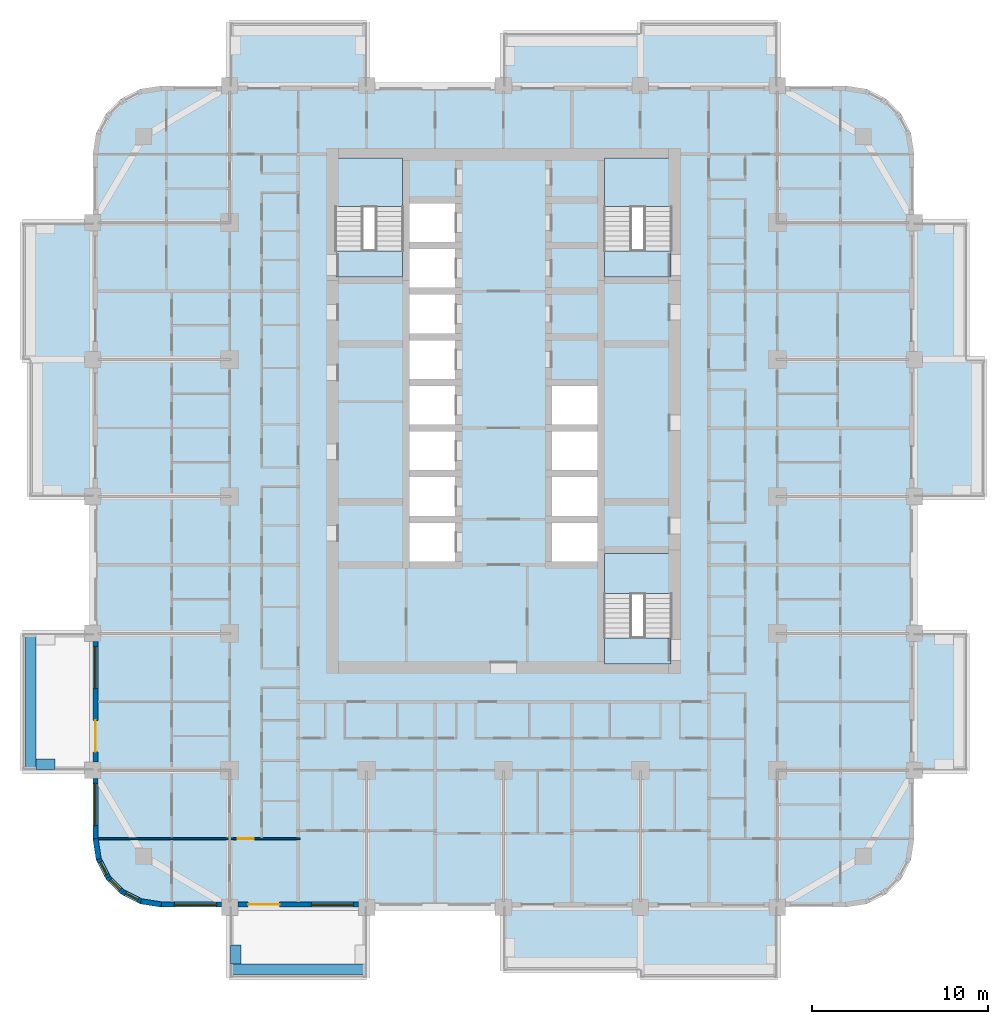
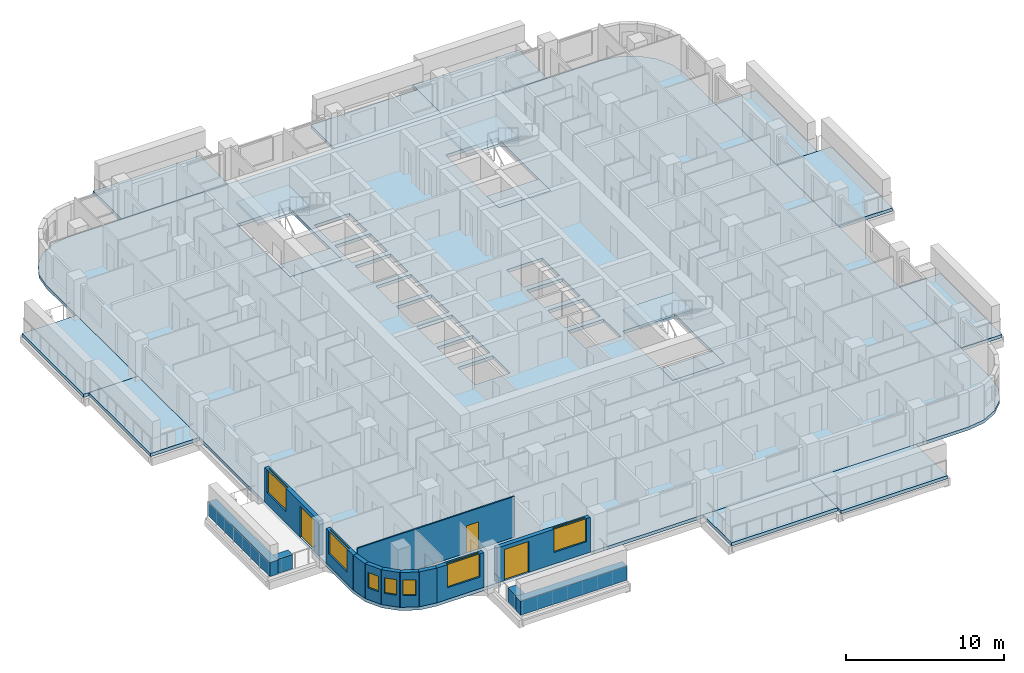
# One storey, part 2 of 18: 17 slabs, 14 walls, 7 windows, 3 doors, 10 openings, 3 elements without a shape of their own.
"""IFC4 building model written with IfcOpenShell, lengths in metres."""

from ifc_helpers import new_model, si_unit, direction, frame, frame_2d, origin, place, context, subcontext, project, spatial, polyline, rectangle, outline, extrude, material, layer, layer_set, type_object, element, fill, aggregate, save


model = new_model("IFC4")

# Units and contexts
model_context = context("Model", 3, precision=1e-05, world=origin(), true_north=direction((0.0, 1.0)))
body_context = subcontext(model_context, "Body", "Model", "MODEL_VIEW")
ifc_project = project(units=[si_unit("LENGTHUNIT", "METRE"), si_unit("AREAUNIT", "SQUARE_METRE"), si_unit("VOLUMEUNIT", "CUBIC_METRE"), si_unit("PLANEANGLEUNIT", "RADIAN"), si_unit("MASSUNIT", "GRAM", prefix="KILO")], contexts=[model_context])

# Site, building, storey
site_placement = place(None, origin())
site = spatial("IfcSite", under=ifc_project, at=site_placement, CompositionType="ELEMENT")
building_placement = place(site_placement, origin())
building = spatial("IfcBuilding", under=site, at=building_placement, Name="Ludao Terraces", CompositionType="ELEMENT")
storey_placement = place(building_placement, frame((0.0, 0.0, 75.0)))
storey = spatial("IfcBuildingStorey", under=building, at=storey_placement, Name="L20", CompositionType="ELEMENT", Elevation=75.0)

# Slabs
ifc_material_1 = material(Name="Concrete C40", Category="concrete")
ifc_layer_1 = layer(ifc_material_1, 0.25)
ifc_layer_set_1 = layer_set([ifc_layer_1], Name="Balcony slab 250 C40")
slab_type_1 = type_object("IfcSlabType", Name="Balcony slab 250 C40", PredefinedType="USERDEFINED", material=ifc_layer_set_1)
slab_1_placement = place(storey_placement, frame((0.0, 0.0, -0.25)))
element("IfcSlab", 1, at=slab_1_placement, inside=storey, type_object=slab_type_1, Name="Balcony L20 S3", ObjectType="BALCONY", PredefinedType="USERDEFINED", context=body_context, shape_type="SweptSolid", body=[
    extrude(outline(polyline([(85.0, 38.0), (92.800048828125, 38.0), (92.800048828125, 41.60009765625), (85.0, 41.60009765625), (85.0, 38.0)])), origin(), (0.0, 0.0, 1.0), 0.25),
])
slab_2_placement = place(storey_placement, frame((0.0, 0.0, -0.25)))
element("IfcSlab", 2, at=slab_2_placement, inside=storey, type_object=slab_type_1, Name="Balcony L20 S4", ObjectType="BALCONY", PredefinedType="USERDEFINED", context=body_context, shape_type="SweptSolid", body=[
    extrude(outline(polyline([(92.800048828125, 37.60009765625), (100.60009765625, 37.60009765625), (100.60009765625, 41.60009765625), (92.800048828125, 41.60009765625), (92.800048828125, 37.60009765625)])), origin(), (0.0, 0.0, 1.0), 0.25),
])
slab_3_placement = place(storey_placement, frame((0.0, 0.0, -0.25)))
element("IfcSlab", 3, at=slab_3_placement, inside=storey, type_object=slab_type_1, Name="Balcony L20 E1", ObjectType="BALCONY", PredefinedType="USERDEFINED", context=body_context, shape_type="SweptSolid", body=[
    extrude(outline(polyline([(108.39990234375, 49.39990234375), (111.39990234375, 49.39990234375), (111.39990234375, 57.199951171875), (108.39990234375, 57.199951171875), (108.39990234375, 49.39990234375)])), origin(), (0.0, 0.0, 1.0), 0.25),
])
slab_4_placement = place(storey_placement, frame((0.0, 0.0, -0.25)))
element("IfcSlab", 4, at=slab_4_placement, inside=storey, type_object=slab_type_1, Name="Balcony L20 E3", ObjectType="BALCONY", PredefinedType="USERDEFINED", context=body_context, shape_type="SweptSolid", body=[
    extrude(outline(polyline([(108.39990234375, 65.0), (112.39990234375, 65.0), (112.39990234375, 72.800048828125), (108.39990234375, 72.800048828125), (108.39990234375, 65.0)])), origin(), (0.0, 0.0, 1.0), 0.25),
])
slab_5_placement = place(storey_placement, frame((0.0, 0.0, -0.25)))
element("IfcSlab", 5, at=slab_5_placement, inside=storey, type_object=slab_type_1, Name="Balcony L20 E4", ObjectType="BALCONY", PredefinedType="USERDEFINED", context=body_context, shape_type="SweptSolid", body=[
    extrude(outline(polyline([(108.39990234375, 72.800048828125), (111.39990234375, 72.800048828125), (111.39990234375, 80.60009765625), (108.39990234375, 80.60009765625), (108.39990234375, 72.800048828125)])), origin(), (0.0, 0.0, 1.0), 0.25),
])
slab_6_placement = place(storey_placement, frame((0.0, 0.0, -0.25)))
element("IfcSlab", 6, at=slab_6_placement, inside=storey, type_object=slab_type_1, Name="Balcony L20 N1", ObjectType="BALCONY", PredefinedType="USERDEFINED", context=body_context, shape_type="SweptSolid", body=[
    extrude(outline(polyline([(69.39990234375, 88.39990234375), (77.199951171875, 88.39990234375), (77.199951171875, 92.0), (69.39990234375, 92.0), (69.39990234375, 88.39990234375)])), origin(), (0.0, 0.0, 1.0), 0.25),
])
slab_7_placement = place(storey_placement, frame((0.0, 0.0, -0.25)))
element("IfcSlab", 7, at=slab_7_placement, inside=storey, type_object=slab_type_1, Name="Balcony L20 N3", ObjectType="BALCONY", PredefinedType="USERDEFINED", context=body_context, shape_type="SweptSolid", body=[
    extrude(outline(polyline([(85.0, 88.39990234375), (92.800048828125, 88.39990234375), (92.800048828125, 91.39990234375), (85.0, 91.39990234375), (85.0, 88.39990234375)])), origin(), (0.0, 0.0, 1.0), 0.25),
])
slab_8_placement = place(storey_placement, frame((0.0, 0.0, -0.25)))
element("IfcSlab", 8, at=slab_8_placement, inside=storey, type_object=slab_type_1, Name="Balcony L20 N4", ObjectType="BALCONY", PredefinedType="USERDEFINED", context=body_context, shape_type="SweptSolid", body=[
    extrude(outline(polyline([(92.800048828125, 88.39990234375), (100.60009765625, 88.39990234375), (100.60009765625, 92.0), (92.800048828125, 92.0), (92.800048828125, 88.39990234375)])), origin(), (0.0, 0.0, 1.0), 0.25),
])
slab_9_placement = place(storey_placement, frame((0.0, 0.0, -0.25)))
element("IfcSlab", 9, at=slab_9_placement, inside=storey, type_object=slab_type_1, Name="Balcony L20 W3", ObjectType="BALCONY", PredefinedType="USERDEFINED", context=body_context, shape_type="SweptSolid", body=[
    extrude(outline(polyline([(58.0, 65.0), (61.60009765625, 65.0), (61.60009765625, 72.800048828125), (58.0, 72.800048828125), (58.0, 65.0)])), origin(), (0.0, 0.0, 1.0), 0.25),
])
slab_10_placement = place(storey_placement, frame((0.0, 0.0, -0.25)))
element("IfcSlab", 10, at=slab_10_placement, inside=storey, type_object=slab_type_1, Name="Balcony L20 W4", ObjectType="BALCONY", PredefinedType="USERDEFINED", context=body_context, shape_type="SweptSolid", body=[
    extrude(outline(polyline([(57.60009765625, 72.800048828125), (61.60009765625, 72.800048828125), (61.60009765625, 80.60009765625), (57.60009765625, 80.60009765625), (57.60009765625, 72.800048828125)])), origin(), (0.0, 0.0, 1.0), 0.25),
])
ifc_layer_2 = layer(ifc_material_1, 0.25)
ifc_layer_set_2 = layer_set([ifc_layer_2], Name="Floor slab 250 C40")
slab_type_2 = type_object("IfcSlabType", Name="Floor slab 250 C40", PredefinedType="FLOOR", material=ifc_layer_set_2)
slab_11_placement = place(storey_placement, frame((0.0, 0.0, -0.25)))
element("IfcSlab", 11, at=slab_11_placement, inside=storey, type_object=slab_type_2, Name="Slab L20", PredefinedType="FLOOR", context=body_context, shape_type="SweptSolid", body=[
    extrude(outline(polyline([(104.5, 41.60009765625), (105.705078125, 41.790771484375), (106.79248046875, 42.3447265625), (107.6552734375, 43.20751953125), (108.209228515625, 44.294921875), (108.39990234375, 45.5), (108.39990234375, 84.5), (108.209228515625, 85.705078125), (107.6552734375, 86.79248046875), (106.79248046875, 87.6552734375), (105.705078125, 88.209228515625), (104.5, 88.39990234375), (65.5, 88.39990234375), (64.294921875, 88.209228515625), (63.20751953125, 87.6552734375), (62.3447265625, 86.79248046875), (61.790771484375, 85.705078125), (61.60009765625, 84.5), (61.60009765625, 45.5), (61.790771484375, 44.294921875), (62.3447265625, 43.20751953125), (63.20751953125, 42.3447265625), (64.294921875, 41.790771484375), (65.5, 41.60009765625), (104.5, 41.60009765625)]), holes=[polyline([(79.64990234375, 61.300048828125), (82.25, 61.300048828125), (82.25, 63.5), (79.64990234375, 63.5), (79.64990234375, 61.300048828125)]), polyline([(79.64990234375, 63.89990234375), (82.25, 63.89990234375), (82.25, 66.10009765625), (79.64990234375, 66.10009765625), (79.64990234375, 63.89990234375)]), polyline([(79.64990234375, 66.5), (82.25, 66.5), (82.25, 68.699951171875), (79.64990234375, 68.699951171875), (79.64990234375, 66.5)]), polyline([(79.64990234375, 69.10009765625), (82.25, 69.10009765625), (82.25, 71.300048828125), (79.64990234375, 71.300048828125), (79.64990234375, 69.10009765625)]), polyline([(79.64990234375, 71.699951171875), (82.25, 71.699951171875), (82.25, 73.89990234375), (79.64990234375, 73.89990234375), (79.64990234375, 71.699951171875)]), polyline([(79.64990234375, 74.300048828125), (82.25, 74.300048828125), (82.25, 76.5), (79.64990234375, 76.5), (79.64990234375, 74.300048828125)]), polyline([(79.64990234375, 76.89990234375), (82.25, 76.89990234375), (82.25, 79.10009765625), (79.64990234375, 79.10009765625), (79.64990234375, 76.89990234375)]), polyline([(79.64990234375, 79.5), (82.25, 79.5), (82.25, 81.699951171875), (79.64990234375, 81.699951171875), (79.64990234375, 79.5)]), polyline([(87.75, 61.300048828125), (90.35009765625, 61.300048828125), (90.35009765625, 63.5), (87.75, 63.5), (87.75, 61.300048828125)]), polyline([(87.75, 63.89990234375), (90.35009765625, 63.89990234375), (90.35009765625, 66.10009765625), (87.75, 66.10009765625), (87.75, 63.89990234375)]), polyline([(87.75, 66.5), (90.35009765625, 66.5), (90.35009765625, 68.699951171875), (87.75, 68.699951171875), (87.75, 66.5)]), polyline([(87.75, 69.10009765625), (90.35009765625, 69.10009765625), (90.35009765625, 71.300048828125), (87.75, 71.300048828125), (87.75, 69.10009765625)]), polyline([(75.449951171875, 77.5), (79.25, 77.5), (79.25, 84.239990234375), (75.449951171875, 84.239990234375), (75.449951171875, 77.5)]), polyline([(90.75, 77.5), (94.550048828125, 77.5), (94.550048828125, 84.239990234375), (90.75, 84.239990234375), (90.75, 77.5)]), polyline([(90.75, 55.449951171875), (94.550048828125, 55.449951171875), (94.550048828125, 61.75), (90.75, 61.75), (90.75, 55.449951171875)])]), origin(), (0.0, 0.0, 1.0), 0.25),
])

# Stair, slabs
stair_type = type_object("IfcStairType", Name="INT Stair", PredefinedType="HALF_TURN_STAIR", material=ifc_material_1)
stair_1_placement = place(storey_placement, origin())
stair_1 = element("IfcStair", 12, at=stair_1_placement, inside=storey, type_object=stair_type, Name="EXIT STAIR 1", PredefinedType="HALF_TURN_STAIR")
ifc_layer_3 = layer(ifc_material_1, 0.199951171875)
ifc_layer_set_3 = layer_set([ifc_layer_3], Name="INT Stair landing 200")
slab_type_3 = type_object("IfcSlabType", Name="INT Stair landing 200", PredefinedType="LANDING", material=ifc_layer_set_3)
slab_12_placement = place(storey_placement, frame((0.0, 0.0, 1.5)))
slab_12 = element("IfcSlab", 13, at=slab_12_placement, type_object=slab_type_3, Name="ST1 landing 1", PredefinedType="LANDING", context=body_context, shape_type="SweptSolid", body=[
    extrude(outline(polyline([(75.449951171875, 81.52001953125), (79.25, 81.52001953125), (79.25, 84.300048828125), (75.449951171875, 84.300048828125), (75.449951171875, 81.52001953125)])), origin(), (0.0, 0.0, 1.0), 0.199951171875),
])
slab_13_placement = place(storey_placement, frame((0.0, 0.0, -0.199951171875)))
slab_13 = element("IfcSlab", 14, at=slab_13_placement, type_object=slab_type_3, Name="ST1 landing 2", PredefinedType="LANDING", context=body_context, shape_type="SweptSolid", body=[
    extrude(outline(polyline([(75.449951171875, 77.5), (79.25, 77.5), (79.25, 79.0), (75.449951171875, 79.0), (75.449951171875, 77.5)])), origin(), (0.0, 0.0, 1.0), 0.199951171875),
])
aggregate(stair_1, [slab_12, slab_13])

stair_2_placement = place(storey_placement, origin())
stair_2 = element("IfcStair", 15, at=stair_2_placement, inside=storey, type_object=stair_type, Name="EXIT STAIR 2", PredefinedType="HALF_TURN_STAIR")
slab_14_placement = place(storey_placement, frame((0.0, 0.0, 1.5)))
slab_14 = element("IfcSlab", 16, at=slab_14_placement, type_object=slab_type_3, Name="ST2 landing 1", PredefinedType="LANDING", context=body_context, shape_type="SweptSolid", body=[
    extrude(outline(polyline([(90.75, 81.52001953125), (94.550048828125, 81.52001953125), (94.550048828125, 84.300048828125), (90.75, 84.300048828125), (90.75, 81.52001953125)])), origin(), (0.0, 0.0, 1.0), 0.199951171875),
])
slab_15_placement = place(storey_placement, frame((0.0, 0.0, -0.199951171875)))
slab_15 = element("IfcSlab", 17, at=slab_15_placement, type_object=slab_type_3, Name="ST2 landing 2", PredefinedType="LANDING", context=body_context, shape_type="SweptSolid", body=[
    extrude(outline(polyline([(90.75, 77.5), (94.550048828125, 77.5), (94.550048828125, 79.0), (90.75, 79.0), (90.75, 77.5)])), origin(), (0.0, 0.0, 1.0), 0.199951171875),
])
aggregate(stair_2, [slab_14, slab_15])

stair_3_placement = place(storey_placement, origin())
stair_3 = element("IfcStair", 18, at=stair_3_placement, inside=storey, type_object=stair_type, Name="EXIT STAIR 3", PredefinedType="HALF_TURN_STAIR")
slab_16_placement = place(storey_placement, frame((0.0, 0.0, 1.5)))
slab_16 = element("IfcSlab", 19, at=slab_16_placement, type_object=slab_type_3, Name="ST3 landing 1", PredefinedType="LANDING", context=body_context, shape_type="SweptSolid", body=[
    extrude(outline(polyline([(90.75, 59.469970703125), (94.550048828125, 59.469970703125), (94.550048828125, 61.75), (90.75, 61.75), (90.75, 59.469970703125)])), origin(), (0.0, 0.0, 1.0), 0.199951171875),
])
slab_17_placement = place(storey_placement, frame((0.0, 0.0, -0.199951171875)))
slab_17 = element("IfcSlab", 20, at=slab_17_placement, type_object=slab_type_3, Name="ST3 landing 2", PredefinedType="LANDING", context=body_context, shape_type="SweptSolid", body=[
    extrude(outline(polyline([(90.75, 55.449951171875), (94.550048828125, 55.449951171875), (94.550048828125, 56.949951171875), (90.75, 56.949951171875), (90.75, 55.449951171875)])), origin(), (0.0, 0.0, 1.0), 0.199951171875),
])
aggregate(stair_3, [slab_16, slab_17])

# Walls
ifc_layer_4 = layer(ifc_material_1, 0.60009765625)
ifc_layer_set_4 = layer_set([ifc_layer_4], Name="ENV Planter trough 600")
wall_type_1 = type_object("IfcWallType", Name="ENV Planter trough 600", PredefinedType="USERDEFINED", material=ifc_layer_set_4)
wall_1_placement = place(storey_placement, frame((69.39990234375, 38.050048828125, 0.0), z_axis=(0.0, 0.0, 1.0), x_axis=(1.0, 0.0, 0.0)))
element("IfcWall", 21, at=wall_1_placement, inside=storey, type_object=wall_type_1, Name="PL-L20-S1", ObjectType="PLANTER", PredefinedType="USERDEFINED", context=body_context, shape_type="SweptSolid", body=[
    extrude(rectangle(XDim=7.800048828125, YDim=0.60009765625, at=frame_2d((3.89990234375, 0.0))), origin(), (0.0, 0.0, 1.0), 1.10009765625),
])
wall_2_placement = place(storey_placement, frame((69.75, 38.35009765625, 0.0), z_axis=(0.0, 0.0, 1.0), x_axis=(0.0, 1.0, 0.0)))
element("IfcWall", 22, at=wall_2_placement, inside=storey, type_object=wall_type_1, Name="PL-L20-S1-SA", ObjectType="PLANTER", PredefinedType="USERDEFINED", context=body_context, shape_type="SweptSolid", body=[
    extrude(rectangle(XDim=1.099853515625, YDim=0.60009765625, at=frame_2d((0.5498046875, 0.0))), origin(), (0.0, 0.0, 1.0), 1.10009765625),
])
wall_3_placement = place(storey_placement, frame((58.050048828125, 49.39990234375, 0.0), z_axis=(0.0, 0.0, 1.0), x_axis=(0.0, 1.0, 0.0)))
element("IfcWall", 23, at=wall_3_placement, inside=storey, type_object=wall_type_1, Name="PL-L20-W1", ObjectType="PLANTER", PredefinedType="USERDEFINED", context=body_context, shape_type="SweptSolid", body=[
    extrude(rectangle(XDim=7.800048828125, YDim=0.60009765625, at=frame_2d((3.89990234375, 0.0))), origin(), (0.0, 0.0, 1.0), 1.10009765625),
])
wall_4_placement = place(storey_placement, frame((58.35009765625, 49.75, 0.0), z_axis=(0.0, 0.0, 1.0), x_axis=(1.0, 0.0, 0.0)))
element("IfcWall", 24, at=wall_4_placement, inside=storey, type_object=wall_type_1, Name="PL-L20-W1-SA", ObjectType="PLANTER", PredefinedType="USERDEFINED", context=body_context, shape_type="SweptSolid", body=[
    extrude(rectangle(XDim=1.099853515625, YDim=0.60009765625, at=frame_2d((0.5498046875, 0.0))), origin(), (0.0, 0.0, 1.0), 1.10009765625),
])

# Wall, opening, window
ifc_material_2 = material(Name="Granite cladding", Category="masonry")
ifc_layer_5 = layer(ifc_material_2, 0.0400390625, Category="stone")
ifc_material_3 = material(Name="Mineral wool")
ifc_layer_6 = layer(ifc_material_3, 0.06005859375)
ifc_layer_7 = layer(ifc_material_1, 0.199951171875, Category="concrete")
ifc_layer_set_5 = layer_set([ifc_layer_5, ifc_layer_6, ifc_layer_7], Name="ENV Stone-clad wall 300")
wall_type_2 = type_object("IfcWallType", Name="ENV Stone-clad wall 300", PredefinedType="SOLIDWALL", material=ifc_layer_set_5)
wall_5_placement = place(storey_placement, frame((65.5, 41.75, 0.0), z_axis=(0.0, 0.0, 1.0), x_axis=(1.0, 0.0, 0.0)))
wall_5 = element("IfcWall", 25, at=wall_5_placement, inside=storey, type_object=wall_type_2, Name="EW-L20-S1", PredefinedType="SOLIDWALL", context=body_context, shape_type="SweptSolid", body=[
    extrude(rectangle(XDim=3.425048828125, YDim=0.300048828125, at=frame_2d((1.71240234375, 0.0))), origin(), (0.0, 0.0, 1.0), 2.699951171875),
])
opening_1_placement = place(wall_5_placement, frame((0.75, 0.0, 0.89990234375)))
opening_1 = element("IfcOpeningElement", 26, at=opening_1_placement, cuts=wall_5, Name="Opening W1", PredefinedType="OPENING", context=body_context, shape_type="SweptSolid", body=[
    extrude(rectangle(XDim=2.39990234375, YDim=1.800048828125, at=frame_2d((1.199951171875, 0.89990234375))), frame((0.0, 0.16015625, 0.0), z_axis=(0.0, -1.0, 0.0), x_axis=(1.0, 0.0, 0.0)), (0.0, 0.0, 1.0), 0.320068359375),
])
ifc_material_4 = material(Name="Clear glass in aluminium frame", Category="aluminium")
ifc_layer_8 = layer(ifc_material_4, 0.06005859375)
ifc_layer_set_6 = layer_set([ifc_layer_8], Name="ENV Window W1 2400x1800")
window_type_1 = type_object("IfcWindowType", Name="ENV Window W1 2400x1800", PartitioningType="DOUBLE_PANEL_VERTICAL", PredefinedType="WINDOW", material=ifc_layer_set_6)
window_1_placement = place(opening_1_placement, origin())
window_1 = element("IfcWindow", 27, at=window_1_placement, inside=storey, type_object=window_type_1, Name="W-L20-S1-1", OverallHeight=1.800048828125, OverallWidth=2.39990234375, PartitioningType="DOUBLE_PANEL_VERTICAL", PredefinedType="WINDOW", context=body_context, shape_type="SweptSolid", body=[
    extrude(rectangle(XDim=2.39990234375, YDim=1.800048828125, at=frame_2d((1.199951171875, 0.89990234375))), frame((0.0, 0.030029296875, 0.0), z_axis=(0.0, -1.0, 0.0), x_axis=(1.0, 0.0, 0.0)), (0.0, 0.0, 1.0), 0.06005859375),
])
fill(opening_1, window_1)

# Wall, openings, door, window
wall_6_placement = place(storey_placement, frame((69.875, 41.75, 0.0), z_axis=(0.0, 0.0, 1.0), x_axis=(1.0, 0.0, 0.0)))
wall_6 = element("IfcWall", 28, at=wall_6_placement, inside=storey, type_object=wall_type_2, Name="EW-L20-S2", PredefinedType="SOLIDWALL", context=body_context, shape_type="SweptSolid", body=[
    extrude(rectangle(XDim=6.85009765625, YDim=0.300048828125, at=frame_2d((3.425048828125, 0.0))), origin(), (0.0, 0.0, 1.0), 2.699951171875),
])
opening_2_placement = place(wall_6_placement, frame((0.574951171875, 0.0, 0.0)))
opening_2 = element("IfcOpeningElement", 29, at=opening_2_placement, cuts=wall_6, Name="Opening BD", PredefinedType="OPENING", context=body_context, shape_type="SweptSolid", body=[
    extrude(rectangle(XDim=1.800048828125, YDim=2.39990234375, at=frame_2d((0.89990234375, 1.199951171875))), frame((0.0, 0.16015625, 0.0), z_axis=(0.0, -1.0, 0.0), x_axis=(1.0, 0.0, 0.0)), (0.0, 0.0, 1.0), 0.320068359375),
])
opening_3_placement = place(wall_6_placement, frame((4.175048828125, 0.0, 0.89990234375)))
opening_3 = element("IfcOpeningElement", 30, at=opening_3_placement, cuts=wall_6, Name="Opening W1", PredefinedType="OPENING", context=body_context, shape_type="SweptSolid", body=[
    extrude(rectangle(XDim=2.39990234375, YDim=1.800048828125, at=frame_2d((1.199951171875, 0.89990234375))), frame((0.0, 0.16015625, 0.0), z_axis=(0.0, -1.0, 0.0), x_axis=(1.0, 0.0, 0.0)), (0.0, 0.0, 1.0), 0.320068359375),
])
ifc_material_5 = material(Name="Aluminium glazed door", Category="aluminium")
ifc_layer_9 = layer(ifc_material_5, 0.06005859375)
ifc_layer_set_7 = layer_set([ifc_layer_9], Name="ENV Balcony door BD 1800x2400")
door_type_1 = type_object("IfcDoorType", Name="ENV Balcony door BD 1800x2400", OperationType="DOUBLE_DOOR_SINGLE_SWING", PredefinedType="DOOR", material=ifc_layer_set_7)
door_1_placement = place(opening_2_placement, origin())
door_1 = element("IfcDoor", 31, at=door_1_placement, inside=storey, type_object=door_type_1, Name="BD-L20-S2-1", OperationType="DOUBLE_DOOR_SINGLE_SWING", OverallHeight=2.39990234375, OverallWidth=1.800048828125, PredefinedType="DOOR", context=body_context, shape_type="SweptSolid", body=[
    extrude(rectangle(XDim=1.800048828125, YDim=2.39990234375, at=frame_2d((0.89990234375, 1.199951171875))), frame((0.0, 0.02490234375, 0.0), z_axis=(0.0, -1.0, 0.0), x_axis=(1.0, 0.0, 0.0)), (0.0, 0.0, 1.0), 0.050048828125),
])
fill(opening_2, door_1)
window_2_placement = place(opening_3_placement, origin())
window_2 = element("IfcWindow", 32, at=window_2_placement, inside=storey, type_object=window_type_1, Name="W-L20-S2-2", OverallHeight=1.800048828125, OverallWidth=2.39990234375, PartitioningType="DOUBLE_PANEL_VERTICAL", PredefinedType="WINDOW", context=body_context, shape_type="SweptSolid", body=[
    extrude(rectangle(XDim=2.39990234375, YDim=1.800048828125, at=frame_2d((1.199951171875, 0.89990234375))), frame((0.0, 0.030029296875, 0.0), z_axis=(0.0, -1.0, 0.0), x_axis=(1.0, 0.0, 0.0)), (0.0, 0.0, 1.0), 0.06005859375),
])
fill(opening_3, window_2)

# Wall, opening, window
wall_7_placement = place(storey_placement, frame((61.75, 45.5, 0.0), z_axis=(0.0, 0.0, 1.0), x_axis=(0.0, 1.0, 0.0)))
wall_7 = element("IfcWall", 33, at=wall_7_placement, inside=storey, type_object=wall_type_2, Name="EW-L20-W1", PredefinedType="SOLIDWALL", context=body_context, shape_type="SweptSolid", body=[
    extrude(rectangle(XDim=3.425048828125, YDim=0.300048828125, at=frame_2d((1.71240234375, 0.0))), origin(), (0.0, 0.0, 1.0), 2.699951171875),
])
opening_4_placement = place(wall_7_placement, frame((0.75, 0.0, 0.89990234375)))
opening_4 = element("IfcOpeningElement", 34, at=opening_4_placement, cuts=wall_7, Name="Opening W1", PredefinedType="OPENING", context=body_context, shape_type="SweptSolid", body=[
    extrude(rectangle(XDim=2.39990234375, YDim=1.800048828125, at=frame_2d((1.199951171875, 0.89990234375))), frame((0.0, 0.16015625, 0.0), z_axis=(0.0, -1.0, 0.0), x_axis=(1.0, 0.0, 0.0)), (0.0, 0.0, 1.0), 0.320068359375),
])
window_3_placement = place(opening_4_placement, origin())
window_3 = element("IfcWindow", 35, at=window_3_placement, inside=storey, type_object=window_type_1, Name="W-L20-W1-1", OverallHeight=1.800048828125, OverallWidth=2.39990234375, PartitioningType="DOUBLE_PANEL_VERTICAL", PredefinedType="WINDOW", context=body_context, shape_type="SweptSolid", body=[
    extrude(rectangle(XDim=2.39990234375, YDim=1.800048828125, at=frame_2d((1.199951171875, 0.89990234375))), frame((0.0, 0.030029296875, 0.0), z_axis=(0.0, -1.0, 0.0), x_axis=(1.0, 0.0, 0.0)), (0.0, 0.0, 1.0), 0.06005859375),
])
fill(opening_4, window_3)

# Wall, openings, door, window
wall_8_placement = place(storey_placement, frame((61.75, 49.875, 0.0), z_axis=(0.0, 0.0, 1.0), x_axis=(0.0, 1.0, 0.0)))
wall_8 = element("IfcWall", 36, at=wall_8_placement, inside=storey, type_object=wall_type_2, Name="EW-L20-W2", PredefinedType="SOLIDWALL", context=body_context, shape_type="SweptSolid", body=[
    extrude(rectangle(XDim=6.85009765625, YDim=0.300048828125, at=frame_2d((3.425048828125, 0.0))), origin(), (0.0, 0.0, 1.0), 2.699951171875),
])
opening_5_placement = place(wall_8_placement, frame((0.574951171875, 0.0, 0.0)))
opening_5 = element("IfcOpeningElement", 37, at=opening_5_placement, cuts=wall_8, Name="Opening BD", PredefinedType="OPENING", context=body_context, shape_type="SweptSolid", body=[
    extrude(rectangle(XDim=1.800048828125, YDim=2.39990234375, at=frame_2d((0.89990234375, 1.199951171875))), frame((0.0, 0.16015625, 0.0), z_axis=(0.0, -1.0, 0.0), x_axis=(1.0, 0.0, 0.0)), (0.0, 0.0, 1.0), 0.320068359375),
])
opening_6_placement = place(wall_8_placement, frame((4.175048828125, 0.0, 0.89990234375)))
opening_6 = element("IfcOpeningElement", 38, at=opening_6_placement, cuts=wall_8, Name="Opening W1", PredefinedType="OPENING", context=body_context, shape_type="SweptSolid", body=[
    extrude(rectangle(XDim=2.39990234375, YDim=1.800048828125, at=frame_2d((1.199951171875, 0.89990234375))), frame((0.0, 0.16015625, 0.0), z_axis=(0.0, -1.0, 0.0), x_axis=(1.0, 0.0, 0.0)), (0.0, 0.0, 1.0), 0.320068359375),
])
door_2_placement = place(opening_5_placement, origin())
door_2 = element("IfcDoor", 39, at=door_2_placement, inside=storey, type_object=door_type_1, Name="BD-L20-W2-1", OperationType="DOUBLE_DOOR_SINGLE_SWING", OverallHeight=2.39990234375, OverallWidth=1.800048828125, PredefinedType="DOOR", context=body_context, shape_type="SweptSolid", body=[
    extrude(rectangle(XDim=1.800048828125, YDim=2.39990234375, at=frame_2d((0.89990234375, 1.199951171875))), frame((0.0, 0.02490234375, 0.0), z_axis=(0.0, -1.0, 0.0), x_axis=(1.0, 0.0, 0.0)), (0.0, 0.0, 1.0), 0.050048828125),
])
fill(opening_5, door_2)
window_4_placement = place(opening_6_placement, origin())
window_4 = element("IfcWindow", 40, at=window_4_placement, inside=storey, type_object=window_type_1, Name="W-L20-W2-2", OverallHeight=1.800048828125, OverallWidth=2.39990234375, PartitioningType="DOUBLE_PANEL_VERTICAL", PredefinedType="WINDOW", context=body_context, shape_type="SweptSolid", body=[
    extrude(rectangle(XDim=2.39990234375, YDim=1.800048828125, at=frame_2d((1.199951171875, 0.89990234375))), frame((0.0, 0.030029296875, 0.0), z_axis=(0.0, -1.0, 0.0), x_axis=(1.0, 0.0, 0.0)), (0.0, 0.0, 1.0), 0.06005859375),
])
fill(opening_6, window_4)

# Wall
wall_9_placement = place(storey_placement, frame((61.75, 45.5, 0.0), z_axis=(0.0, 0.0, 1.0), x_axis=(0.156496880861, -0.987678452879, 0.0)))
element("IfcWall", 41, at=wall_9_placement, inside=storey, type_object=wall_type_2, Name="EW-L20-SW1", PredefinedType="SOLIDWALL", context=body_context, shape_type="SweptSolid", body=[
    extrude(rectangle(XDim=1.173095703125, YDim=0.300048828125, at=frame_2d((0.58642578125, 0.0))), origin(), (0.0, 0.0, 1.0), 2.699951171875),
])

# Wall, opening, window
wall_10_placement = place(storey_placement, frame((61.93359375, 44.34130859375, 0.0), z_axis=(0.0, 0.0, 1.0), x_axis=(0.454025524128, -0.890988677504, 0.0)))
wall_10 = element("IfcWall", 42, at=wall_10_placement, inside=storey, type_object=wall_type_2, Name="EW-L20-SW2", PredefinedType="SOLIDWALL", context=body_context, shape_type="SweptSolid", body=[
    extrude(rectangle(XDim=1.17333984375, YDim=0.300048828125, at=frame_2d((0.586669921875, 0.0))), origin(), (0.0, 0.0, 1.0), 2.699951171875),
])
opening_7_placement = place(wall_10_placement, frame((0.1865234375, 0.0, 0.89990234375)))
opening_7 = element("IfcOpeningElement", 43, at=opening_7_placement, cuts=wall_10, Name="Opening W3", PredefinedType="OPENING", context=body_context, shape_type="SweptSolid", body=[
    extrude(rectangle(XDim=0.800048828125, YDim=1.199951171875, at=frame_2d((0.39990234375, 0.60009765625))), frame((0.0, 0.16015625, 0.0), z_axis=(0.0, -1.0, 0.0), x_axis=(1.0, 0.0, 0.0)), (0.0, 0.0, 1.0), 0.320068359375),
])
ifc_layer_10 = layer(ifc_material_4, 0.06005859375)
ifc_layer_set_8 = layer_set([ifc_layer_10], Name="ENV Window W3 800x1200")
window_type_2 = type_object("IfcWindowType", Name="ENV Window W3 800x1200", PartitioningType="SINGLE_PANEL", PredefinedType="WINDOW", material=ifc_layer_set_8)
window_5_placement = place(opening_7_placement, origin())
window_5 = element("IfcWindow", 44, at=window_5_placement, inside=storey, type_object=window_type_2, Name="W-L20-SW2", OverallHeight=1.199951171875, OverallWidth=0.800048828125, PartitioningType="SINGLE_PANEL", PredefinedType="WINDOW", context=body_context, shape_type="SweptSolid", body=[
    extrude(rectangle(XDim=0.800048828125, YDim=1.199951171875, at=frame_2d((0.39990234375, 0.60009765625))), frame((0.0, 0.030029296875, 0.0), z_axis=(0.0, -1.0, 0.0), x_axis=(1.0, 0.0, 0.0)), (0.0, 0.0, 1.0), 0.06005859375),
])
fill(opening_7, window_5)

wall_11_placement = place(storey_placement, frame((62.46630859375, 43.2958984375, 0.0), z_axis=(0.0, 0.0, 1.0), x_axis=(0.707106781187, -0.707106781187, 0.0)))
wall_11 = element("IfcWall", 45, at=wall_11_placement, inside=storey, type_object=wall_type_2, Name="EW-L20-SW3", PredefinedType="SOLIDWALL", context=body_context, shape_type="SweptSolid", body=[
    extrude(rectangle(XDim=1.173095703125, YDim=0.300048828125, at=frame_2d((0.58642578125, 0.0))), origin(), (0.0, 0.0, 1.0), 2.699951171875),
])
opening_8_placement = place(wall_11_placement, frame((0.1865234375, 0.0, 0.89990234375)))
opening_8 = element("IfcOpeningElement", 46, at=opening_8_placement, cuts=wall_11, Name="Opening W3", PredefinedType="OPENING", context=body_context, shape_type="SweptSolid", body=[
    extrude(rectangle(XDim=0.800048828125, YDim=1.199951171875, at=frame_2d((0.39990234375, 0.60009765625))), frame((0.0, 0.16015625, 0.0), z_axis=(0.0, -1.0, 0.0), x_axis=(1.0, 0.0, 0.0)), (0.0, 0.0, 1.0), 0.320068359375),
])
window_6_placement = place(opening_8_placement, origin())
window_6 = element("IfcWindow", 47, at=window_6_placement, inside=storey, type_object=window_type_2, Name="W-L20-SW3", OverallHeight=1.199951171875, OverallWidth=0.800048828125, PartitioningType="SINGLE_PANEL", PredefinedType="WINDOW", context=body_context, shape_type="SweptSolid", body=[
    extrude(rectangle(XDim=0.800048828125, YDim=1.199951171875, at=frame_2d((0.39990234375, 0.60009765625))), frame((0.0, 0.030029296875, 0.0), z_axis=(0.0, -1.0, 0.0), x_axis=(1.0, 0.0, 0.0)), (0.0, 0.0, 1.0), 0.06005859375),
])
fill(opening_8, window_6)

wall_12_placement = place(storey_placement, frame((63.2958984375, 42.46630859375, 0.0), z_axis=(0.0, 0.0, 1.0), x_axis=(0.890988677504, -0.454025524128, 0.0)))
wall_12 = element("IfcWall", 48, at=wall_12_placement, inside=storey, type_object=wall_type_2, Name="EW-L20-SW4", PredefinedType="SOLIDWALL", context=body_context, shape_type="SweptSolid", body=[
    extrude(rectangle(XDim=1.17333984375, YDim=0.300048828125, at=frame_2d((0.586669921875, 0.0))), origin(), (0.0, 0.0, 1.0), 2.699951171875),
])
opening_9_placement = place(wall_12_placement, frame((0.1865234375, 0.0, 0.89990234375)))
opening_9 = element("IfcOpeningElement", 49, at=opening_9_placement, cuts=wall_12, Name="Opening W3", PredefinedType="OPENING", context=body_context, shape_type="SweptSolid", body=[
    extrude(rectangle(XDim=0.800048828125, YDim=1.199951171875, at=frame_2d((0.39990234375, 0.60009765625))), frame((0.0, 0.16015625, 0.0), z_axis=(0.0, -1.0, 0.0), x_axis=(1.0, 0.0, 0.0)), (0.0, 0.0, 1.0), 0.320068359375),
])
window_7_placement = place(opening_9_placement, origin())
window_7 = element("IfcWindow", 50, at=window_7_placement, inside=storey, type_object=window_type_2, Name="W-L20-SW4", OverallHeight=1.199951171875, OverallWidth=0.800048828125, PartitioningType="SINGLE_PANEL", PredefinedType="WINDOW", context=body_context, shape_type="SweptSolid", body=[
    extrude(rectangle(XDim=0.800048828125, YDim=1.199951171875, at=frame_2d((0.39990234375, 0.60009765625))), frame((0.0, 0.030029296875, 0.0), z_axis=(0.0, -1.0, 0.0), x_axis=(1.0, 0.0, 0.0)), (0.0, 0.0, 1.0), 0.06005859375),
])
fill(opening_9, window_7)

# Wall
wall_13_placement = place(storey_placement, frame((64.34130859375, 41.93359375, 0.0), z_axis=(0.0, 0.0, 1.0), x_axis=(0.987678452879, -0.156496880861, 0.0)))
element("IfcWall", 51, at=wall_13_placement, inside=storey, type_object=wall_type_2, Name="EW-L20-SW5", PredefinedType="SOLIDWALL", context=body_context, shape_type="SweptSolid", body=[
    extrude(rectangle(XDim=1.173095703125, YDim=0.300048828125, at=frame_2d((0.58642578125, 0.0))), origin(), (0.0, 0.0, 1.0), 2.699951171875),
])

# Wall, opening, door
ifc_material_6 = material(Name="Gypsum plasterboard", Category="gypsum")
ifc_layer_11 = layer(ifc_material_6, 0.012451171875, Category="gypsum")
ifc_layer_12 = layer(ifc_material_3, 0.06005859375, Name="insulation")
ifc_material_7 = material(Name="Steel Q235", Category="steel")
ifc_layer_13 = layer(ifc_material_7, 0.014892578125, Name="stud")
ifc_layer_14 = layer(ifc_material_6, 0.012451171875, Category="gypsum")
ifc_layer_set_9 = layer_set([ifc_layer_11, ifc_layer_12, ifc_layer_13, ifc_layer_14], Name="INT Partition 100")
wall_type_3 = type_object("IfcWallType", Name="INT Partition 100", PredefinedType="PARTITIONING", material=ifc_layer_set_9)
wall_14_placement = place(storey_placement, frame((61.900146484375, 45.5, 0.0), z_axis=(0.0, 0.0, 1.0), x_axis=(1.0, 0.0, 0.0)))
wall_14 = element("IfcWall", 52, at=wall_14_placement, inside=storey, type_object=wall_type_3, Name="PW-L20-PW000", PredefinedType="PARTITIONING", context=body_context, shape_type="SweptSolid", body=[
    extrude(rectangle(XDim=11.5, YDim=0.10009765625, at=frame_2d((5.75, 0.0))), origin(), (0.0, 0.0, 1.0), 3.14990234375),
])
opening_10_placement = place(wall_14_placement, frame((7.965087890625, 0.0, 0.0)))
opening_10 = element("IfcOpeningElement", 53, at=opening_10_placement, cuts=wall_14, Name="Opening R06-005", PredefinedType="OPENING", context=body_context, shape_type="SweptSolid", body=[
    extrude(rectangle(XDim=0.89990234375, YDim=2.10009765625, at=frame_2d((0.449951171875, 1.050048828125))), frame((0.0, 0.06005859375, 0.0), z_axis=(0.0, -1.0, 0.0), x_axis=(1.0, 0.0, 0.0)), (0.0, 0.0, 1.0), 0.1201171875),
])
ifc_material_8 = material(Name="Timber door leaf", Category="wood")
door_type_2 = type_object("IfcDoorType", Name="INT Room door 900", OperationType="SINGLE_SWING_LEFT", PredefinedType="DOOR", material=ifc_material_8)
door_3_placement = place(opening_10_placement, origin())
door_3 = element("IfcDoor", 54, at=door_3_placement, inside=storey, type_object=door_type_2, Name="DOOR 005", OperationType="SINGLE_SWING_LEFT", OverallHeight=2.10009765625, OverallWidth=0.89990234375, PredefinedType="DOOR", context=body_context, shape_type="SweptSolid", body=[
    extrude(rectangle(XDim=0.89990234375, YDim=2.10009765625, at=frame_2d((0.449951171875, 1.050048828125))), frame((0.0, 0.02490234375, 0.0), z_axis=(0.0, -1.0, 0.0), x_axis=(1.0, 0.0, 0.0)), (0.0, 0.0, 1.0), 0.050048828125),
])
fill(opening_10, door_3)

save(model, "model.ifc")
